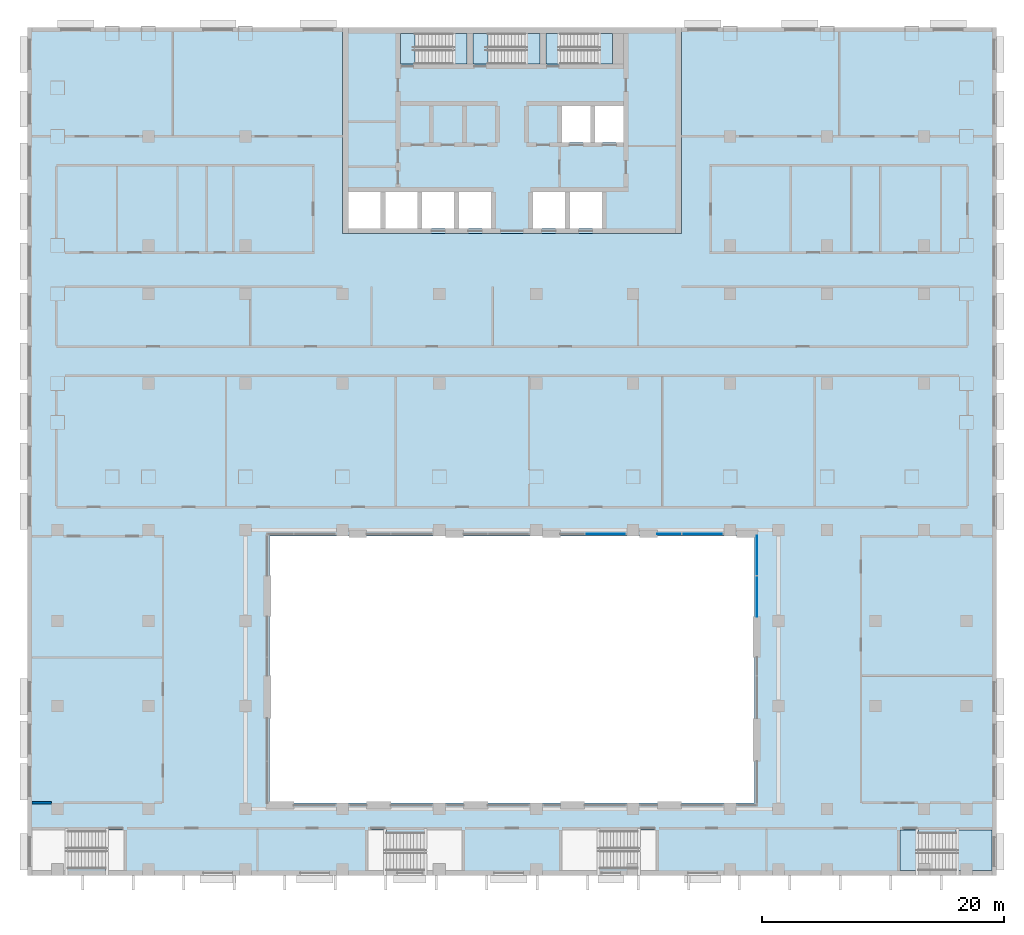
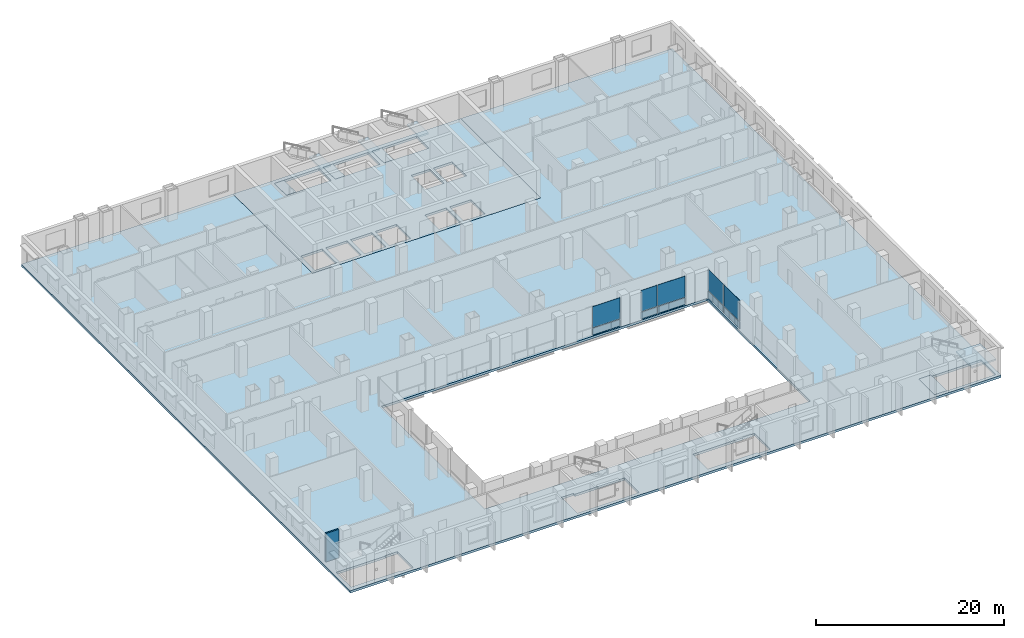
# One storey, part 6 of 25: 10 plates, 10 slabs, 1 wall, 7 elements without a shape of their own.
"""IFC4 building model written with IfcOpenShell, lengths in metres."""

from ifc_helpers import new_model, si_unit, direction, frame, frame_2d, origin, origin_2d, place, context, subcontext, project, spatial, polyline, rectangle, outline, extrude, material, layer, layer_set, type_object, element, aggregate, save


model = new_model("IFC4")

# Units and contexts
model_context = context("Model", 3, precision=1e-05, world=origin(), true_north=direction((0.0, 1.0)))
body_context = subcontext(model_context, "Body", "Model", "MODEL_VIEW")
ifc_project = project(units=[si_unit("LENGTHUNIT", "METRE"), si_unit("AREAUNIT", "SQUARE_METRE"), si_unit("VOLUMEUNIT", "CUBIC_METRE"), si_unit("PLANEANGLEUNIT", "RADIAN"), si_unit("MASSUNIT", "GRAM", prefix="KILO")], contexts=[model_context])

# Site, building, storey
site_placement = place(None, origin())
site = spatial("IfcSite", under=ifc_project, at=site_placement, CompositionType="ELEMENT")
building_placement = place(site_placement, origin())
building = spatial("IfcBuilding", under=site, at=building_placement, Name="Vidyagriha Tower", CompositionType="ELEMENT")
storey_placement = place(building_placement, frame((0.0, 0.0, 18.0)))
storey = spatial("IfcBuildingStorey", under=building, at=storey_placement, Name="L04", CompositionType="ELEMENT", Elevation=18.0)

# Curtain wall, plate
ifc_material_1 = material(Name="Aluminium and glass curtain wall", Category="aluminium")
curtain_wall_type = type_object("IfcCurtainWallType", Name="Atrium screen curtain wall", PredefinedType="USERDEFINED", material=ifc_material_1)
curtain_wall_1_placement = place(storey_placement, origin())
curtain_wall_1 = element("IfcCurtainWall", 1, at=curtain_wall_1_placement, inside=storey, type_object=curtain_wall_type, Name="CW6 atrium screen", ObjectType="UNITISED", PredefinedType="USERDEFINED")
ifc_material_2 = material(Name="Glass dark ceramic-fritted spandrel", Category="glass")
ifc_layer_1 = layer(ifc_material_2, 0.0400390625)
ifc_layer_set_1 = layer_set([ifc_layer_1], Name="Glass dark ceramic-fritted spandrel")
plate_type_1 = type_object("IfcPlateType", Name="Ceramic-fritted spandrel panel", PredefinedType="CURTAIN_PANEL", material=ifc_layer_set_1)
plate_1_placement = place(storey_placement, frame((7.717529296875, -21.800048828125, 0.0)))
plate_1 = element("IfcPlate", 2, at=plate_1_placement, type_object=plate_type_1, Name="CW6 panel 2.1", PredefinedType="CURTAIN_PANEL", context=body_context, shape_type="SweptSolid", body=[
    extrude(rectangle(XDim=3.364990234375, YDim=0.0400390625, at=origin_2d()), origin(), (0.0, 0.0, 1.0), 0.85009765625),
])

# Curtain wall, plates
curtain_wall_2_placement = place(storey_placement, origin())
curtain_wall_2 = element("IfcCurtainWall", 3, at=curtain_wall_2_placement, inside=storey, type_object=curtain_wall_type, Name="CW6 atrium screen", ObjectType="UNITISED", PredefinedType="USERDEFINED")
plate_2_placement = place(storey_placement, frame((12.982421875, -21.800048828125, 0.0)))
plate_2 = element("IfcPlate", 4, at=plate_2_placement, type_object=plate_type_1, Name="CW6 panel 1.1", PredefinedType="CURTAIN_PANEL", context=body_context, shape_type="SweptSolid", body=[
    extrude(rectangle(XDim=1.965087890625, YDim=0.0400390625, at=origin_2d()), origin(), (0.0, 0.0, 1.0), 0.85009765625),
])
plate_3_placement = place(storey_placement, frame((15.717529296875, -21.800048828125, 0.0)))
plate_3 = element("IfcPlate", 5, at=plate_3_placement, type_object=plate_type_1, Name="CW6 panel 2.1", PredefinedType="CURTAIN_PANEL", context=body_context, shape_type="SweptSolid", body=[
    extrude(rectangle(XDim=3.364990234375, YDim=0.0400390625, at=origin_2d()), origin(), (0.0, 0.0, 1.0), 0.85009765625),
])

curtain_wall_3_placement = place(storey_placement, origin())
curtain_wall_3 = element("IfcCurtainWall", 6, at=curtain_wall_3_placement, inside=storey, type_object=curtain_wall_type, Name="CW6 atrium screen", ObjectType="UNITISED", PredefinedType="USERDEFINED")
plate_4_placement = place(storey_placement, frame((20.199951171875, -23.584228515625, 0.0), z_axis=(0.0, 0.0, 1.0), x_axis=(0.0, -1.0, 0.0)))
plate_4 = element("IfcPlate", 7, at=plate_4_placement, type_object=plate_type_1, Name="CW6 panel 1.1", PredefinedType="CURTAIN_PANEL", context=body_context, shape_type="SweptSolid", body=[
    extrude(rectangle(XDim=3.268310546875, YDim=0.0400390625, at=origin_2d()), origin(), (0.0, 0.0, 1.0), 0.85009765625),
])
plate_5_placement = place(storey_placement, frame((20.199951171875, -26.95751953125, 0.0), z_axis=(0.0, 0.0, 1.0), x_axis=(0.0, -1.0, 0.0)))
plate_5 = element("IfcPlate", 8, at=plate_5_placement, type_object=plate_type_1, Name="CW6 panel 2.1", PredefinedType="CURTAIN_PANEL", context=body_context, shape_type="SweptSolid", body=[
    extrude(rectangle(XDim=3.33837890625, YDim=0.0400390625, at=origin_2d()), origin(), (0.0, 0.0, 1.0), 0.85009765625),
])

# Slab
ifc_material_3 = material(Name="Concrete C60/75", Category="concrete")
ifc_layer_2 = layer(ifc_material_3, 0.300048828125)
ifc_layer_set_2 = layer_set([ifc_layer_2], Name="Concrete C60/75")
slab_type_1 = type_object("IfcSlabType", Name="Core floor slab 300 mm", PredefinedType="FLOOR", material=ifc_layer_set_2)
slab_1_placement = place(storey_placement, frame((0.0, 0.0, -0.300048828125)))
element("IfcSlab", 9, at=slab_1_placement, inside=storey, type_object=slab_type_1, Name="L04 core floor 1", PredefinedType="FLOOR", context=body_context, shape_type="SweptSolid", body=[
    extrude(outline(polyline([(-14.0, 3.0), (-14.0, 20.0), (14.0, 20.0), (14.0, 3.0), (-14.0, 3.0)]), holes=[polyline([(9.199951171875, 13.5), (6.86669921875, 13.5), (6.86669921875, 10.5), (9.199951171875, 10.5), (9.199951171875, 13.5)]), polyline([(4.0, 19.5), (2.800048828125, 19.5), (2.800048828125, 16.949951171875), (4.0, 16.949951171875), (8.300048828125, 16.949951171875), (8.300048828125, 19.5), (4.0, 19.5)]), polyline([(7.4111328125, 6.39990234375), (4.7666015625, 6.39990234375), (4.7666015625, 3.39990234375), (7.4111328125, 3.39990234375), (7.4111328125, 6.39990234375)]), polyline([(6.466796875, 13.5), (4.13330078125, 13.5), (4.13330078125, 10.5), (6.466796875, 10.5), (6.466796875, 13.5)]), polyline([(1.72216796875, 6.39990234375), (1.72216796875, 3.39990234375), (4.36669921875, 3.39990234375), (4.36669921875, 6.39990234375), (1.72216796875, 6.39990234375)]), polyline([(-2.0, 16.949951171875), (2.300048828125, 16.949951171875), (2.300048828125, 19.5), (-2.0, 19.5), (-3.199951171875, 19.5), (-3.199951171875, 16.949951171875), (-2.0, 16.949951171875)]), polyline([(-1.72216796875, 6.39990234375), (-4.36669921875, 6.39990234375), (-4.36669921875, 3.39990234375), (-1.72216796875, 3.39990234375), (-1.72216796875, 6.39990234375)]), polyline([(-8.0, 19.5), (-9.199951171875, 19.5), (-9.199951171875, 16.949951171875), (-8.0, 16.949951171875), (-3.699951171875, 16.949951171875), (-3.699951171875, 19.5), (-8.0, 19.5)]), polyline([(-4.7666015625, 6.39990234375), (-7.4111328125, 6.39990234375), (-7.4111328125, 3.39990234375), (-4.7666015625, 3.39990234375), (-4.7666015625, 6.39990234375)]), polyline([(-7.81103515625, 6.39990234375), (-10.45556640625, 6.39990234375), (-10.45556640625, 3.39990234375), (-7.81103515625, 3.39990234375), (-7.81103515625, 6.39990234375)]), polyline([(-13.5, 6.39990234375), (-13.5, 3.39990234375), (-10.855712890625, 3.39990234375), (-10.855712890625, 6.39990234375), (-13.5, 6.39990234375)])]), origin(), (0.0, 0.0, 1.0), 0.300048828125),
])

# Plate
ifc_material_4 = material(Name="Glass dark ceramic-fritted", Category="glass")
ifc_layer_3 = layer(ifc_material_4, 0.028076171875)
ifc_layer_set_3 = layer_set([ifc_layer_3], Name="Glass dark ceramic-fritted")
plate_type_2 = type_object("IfcPlateType", Name="Dark ceramic-fritted vision glass panel", PredefinedType="CURTAIN_PANEL", material=ifc_layer_set_3)
plate_6_placement = place(storey_placement, frame((7.717529296875, -21.800048828125, 0.949951171875)))
plate_6 = element("IfcPlate", 10, at=plate_6_placement, type_object=plate_type_2, Name="CW6 panel 2.2", PredefinedType="CURTAIN_PANEL", context=body_context, shape_type="SweptSolid", body=[
    extrude(rectangle(XDim=3.364990234375, YDim=0.028076171875, at=origin_2d()), origin(), (0.0, 0.0, 1.0), 2.75),
])

aggregate(curtain_wall_1, [plate_1, plate_6])

plate_7_placement = place(storey_placement, frame((12.982421875, -21.800048828125, 0.949951171875)))
plate_7 = element("IfcPlate", 11, at=plate_7_placement, type_object=plate_type_2, Name="CW6 panel 1.2", PredefinedType="CURTAIN_PANEL", context=body_context, shape_type="SweptSolid", body=[
    extrude(rectangle(XDim=1.965087890625, YDim=0.028076171875, at=origin_2d()), origin(), (0.0, 0.0, 1.0), 2.75),
])

plate_8_placement = place(storey_placement, frame((15.717529296875, -21.800048828125, 0.949951171875)))
plate_8 = element("IfcPlate", 12, at=plate_8_placement, type_object=plate_type_2, Name="CW6 panel 2.2", PredefinedType="CURTAIN_PANEL", context=body_context, shape_type="SweptSolid", body=[
    extrude(rectangle(XDim=3.364990234375, YDim=0.028076171875, at=origin_2d()), origin(), (0.0, 0.0, 1.0), 2.75),
])

aggregate(curtain_wall_2, [plate_2, plate_7, plate_3, plate_8])

plate_9_placement = place(storey_placement, frame((20.199951171875, -23.584228515625, 0.949951171875), z_axis=(0.0, 0.0, 1.0), x_axis=(0.0, -1.0, 0.0)))
plate_9 = element("IfcPlate", 13, at=plate_9_placement, type_object=plate_type_2, Name="CW6 panel 1.2", PredefinedType="CURTAIN_PANEL", context=body_context, shape_type="SweptSolid", body=[
    extrude(rectangle(XDim=3.268310546875, YDim=0.028076171875, at=origin_2d()), origin(), (0.0, 0.0, 1.0), 2.75),
])

plate_10_placement = place(storey_placement, frame((20.199951171875, -26.95751953125, 0.949951171875), z_axis=(0.0, 0.0, 1.0), x_axis=(0.0, -1.0, 0.0)))
plate_10 = element("IfcPlate", 14, at=plate_10_placement, type_object=plate_type_2, Name="CW6 panel 2.2", PredefinedType="CURTAIN_PANEL", context=body_context, shape_type="SweptSolid", body=[
    extrude(rectangle(XDim=3.33837890625, YDim=0.028076171875, at=origin_2d()), origin(), (0.0, 0.0, 1.0), 2.75),
])

aggregate(curtain_wall_3, [plate_4, plate_9, plate_5, plate_10])

# Slabs
ifc_material_5 = material(Name="Concrete C40/50", Category="concrete")
ifc_layer_4 = layer(ifc_material_5, 0.300048828125)
ifc_layer_set_4 = layer_set([ifc_layer_4], Name="Concrete C40/50")
slab_type_2 = type_object("IfcSlabType", Name="Exit stair floor landing 300 mm", PredefinedType="LANDING", material=ifc_layer_set_4)
slab_2_placement = place(storey_placement, frame((0.0, 0.0, -0.300048828125)))
element("IfcSlab", 15, at=slab_2_placement, inside=storey, type_object=slab_type_2, Name="ST1 floor landing L04", PredefinedType="LANDING", context=body_context, shape_type="SweptSolid", body=[
    extrude(outline(polyline([(-9.199951171875, 16.949951171875), (-8.0, 16.949951171875), (-8.0, 19.5), (-9.199951171875, 19.5), (-9.199951171875, 16.949951171875)])), origin(), (0.0, 0.0, 1.0), 0.300048828125),
])
slab_3_placement = place(storey_placement, frame((0.0, 0.0, -0.300048828125)))
element("IfcSlab", 16, at=slab_3_placement, inside=storey, type_object=slab_type_2, Name="ST2 floor landing L04", PredefinedType="LANDING", context=body_context, shape_type="SweptSolid", body=[
    extrude(outline(polyline([(-3.199951171875, 16.949951171875), (-2.0, 16.949951171875), (-2.0, 19.5), (-3.199951171875, 19.5), (-3.199951171875, 16.949951171875)])), origin(), (0.0, 0.0, 1.0), 0.300048828125),
])
slab_4_placement = place(storey_placement, frame((0.0, 0.0, -0.300048828125)))
element("IfcSlab", 17, at=slab_4_placement, inside=storey, type_object=slab_type_2, Name="ST3 floor landing L04", PredefinedType="LANDING", context=body_context, shape_type="SweptSolid", body=[
    extrude(outline(polyline([(2.800048828125, 16.949951171875), (4.0, 16.949951171875), (4.0, 19.5), (2.800048828125, 19.5), (2.800048828125, 16.949951171875)])), origin(), (0.0, 0.0, 1.0), 0.300048828125),
])

# Stair, slab
ifc_material_6 = material(Name="Concrete C40/50", Category="concrete")
stair_type_1 = type_object("IfcStairType", Name="Exit stair, half-turn, precast flights", PredefinedType="HALF_TURN_STAIR", material=ifc_material_6)
stair_1_placement = place(storey_placement, origin())
stair_1 = element("IfcStair", 18, at=stair_1_placement, inside=storey, type_object=stair_type_1, Name="L04 Exit Stair ST1", PredefinedType="HALF_TURN_STAIR")
ifc_material_7 = material(Name="Concrete C40/50", Category="concrete")
ifc_layer_5 = layer(ifc_material_7, 0.199951171875)
ifc_layer_set_5 = layer_set([ifc_layer_5], Name="Concrete C40/50")
slab_type_3 = type_object("IfcSlabType", Name="Exit stair landing 200 mm", PredefinedType="LANDING", material=ifc_layer_set_5)
slab_5_placement = place(storey_placement, frame((0.0, 0.0, 1.800048828125)))
slab_5 = element("IfcSlab", 19, at=slab_5_placement, type_object=slab_type_3, Name="ST1 landing 1", PredefinedType="LANDING", context=body_context, shape_type="SweptSolid", body=[
    extrude(outline(polyline([(-4.919921875, 16.949951171875), (-3.699951171875, 16.949951171875), (-3.699951171875, 19.5), (-4.919921875, 19.5), (-4.919921875, 16.949951171875)])), origin(), (0.0, 0.0, 1.0), 0.199951171875),
])
aggregate(stair_1, [slab_5])

stair_2_placement = place(storey_placement, origin())
stair_2 = element("IfcStair", 20, at=stair_2_placement, inside=storey, type_object=stair_type_1, Name="L04 Exit Stair ST2", PredefinedType="HALF_TURN_STAIR")
slab_6_placement = place(storey_placement, frame((0.0, 0.0, 1.800048828125)))
slab_6 = element("IfcSlab", 21, at=slab_6_placement, type_object=slab_type_3, Name="ST2 landing 1", PredefinedType="LANDING", context=body_context, shape_type="SweptSolid", body=[
    extrude(outline(polyline([(1.080078125, 16.949951171875), (2.300048828125, 16.949951171875), (2.300048828125, 19.5), (1.080078125, 19.5), (1.080078125, 16.949951171875)])), origin(), (0.0, 0.0, 1.0), 0.199951171875),
])
aggregate(stair_2, [slab_6])

stair_3_placement = place(storey_placement, origin())
stair_3 = element("IfcStair", 22, at=stair_3_placement, inside=storey, type_object=stair_type_1, Name="L04 Exit Stair ST3", PredefinedType="HALF_TURN_STAIR")
slab_7_placement = place(storey_placement, frame((0.0, 0.0, 1.800048828125)))
slab_7 = element("IfcSlab", 23, at=slab_7_placement, type_object=slab_type_3, Name="ST3 landing 1", PredefinedType="LANDING", context=body_context, shape_type="SweptSolid", body=[
    extrude(outline(polyline([(7.080078125, 16.949951171875), (8.300048828125, 16.949951171875), (8.300048828125, 19.5), (7.080078125, 19.5), (7.080078125, 16.949951171875)])), origin(), (0.0, 0.0, 1.0), 0.199951171875),
])
aggregate(stair_3, [slab_7])

ifc_material_8 = material(Name="Concrete C32/40", Category="concrete")
stair_type_2 = type_object("IfcStairType", Name="Podium Exit Stair 1500", PredefinedType="HALF_TURN_STAIR", material=ifc_material_8)
stair_4_placement = place(storey_placement, origin())
stair_4 = element("IfcStair", 24, at=stair_4_placement, inside=storey, type_object=stair_type_2, Name="L04 Exit Stair PS2", PredefinedType="HALF_TURN_STAIR")
ifc_material_9 = material(Name="Concrete C32/40", Category="concrete")
ifc_layer_6 = layer(ifc_material_9, 0.199951171875)
ifc_layer_set_6 = layer_set([ifc_layer_6], Name="Concrete C32/40")
slab_type_4 = type_object("IfcSlabType", Name="Podium Stair Landing 200", PredefinedType="LANDING", material=ifc_layer_set_6)
slab_8_placement = place(storey_placement, frame((0.0, 0.0, 1.800048828125)))
slab_8 = element("IfcSlab", 25, at=slab_8_placement, type_object=slab_type_4, Name="PS2 landing 1", PredefinedType="LANDING", context=body_context, shape_type="SweptSolid", body=[
    extrude(outline(polyline([(36.625, -49.60009765625), (39.60009765625, -49.60009765625), (39.60009765625, -46.22509765625), (36.625, -46.22509765625), (36.625, -49.60009765625)])), origin(), (0.0, 0.0, 1.0), 0.199951171875),
])
aggregate(stair_4, [slab_8])

# Slabs
ifc_material_10 = material(Name="Concrete C32/40", Category="concrete")
ifc_layer_7 = layer(ifc_material_10, 0.300048828125)
ifc_layer_set_7 = layer_set([ifc_layer_7], Name="Concrete C32/40")
slab_type_5 = type_object("IfcSlabType", Name="Podium stair floor landing 300 mm", PredefinedType="LANDING", material=ifc_layer_set_7)
slab_9_placement = place(storey_placement, frame((0.0, 0.0, -0.300048828125)))
element("IfcSlab", 26, at=slab_9_placement, inside=storey, type_object=slab_type_5, Name="PS2 floor landing L04", PredefinedType="LANDING", context=body_context, shape_type="SweptSolid", body=[
    extrude(outline(polyline([(32.02490234375, -49.60009765625), (33.544921875, -49.60009765625), (33.544921875, -46.22509765625), (32.02490234375, -46.22509765625), (32.02490234375, -49.60009765625)])), origin(), (0.0, 0.0, 1.0), 0.300048828125),
])
ifc_material_11 = material(Name="Concrete C50/60", Category="concrete")
ifc_layer_8 = layer(ifc_material_11, 0.300048828125)
ifc_layer_set_8 = layer_set([ifc_layer_8], Name="Concrete C50/60")
slab_type_6 = type_object("IfcSlabType", Name="Post-tensioned flat plate 300", PredefinedType="FLOOR", material=ifc_layer_set_8)
slab_10_placement = place(storey_placement, frame((0.0, 0.0, -0.300048828125)))
element("IfcSlab", 27, at=slab_10_placement, inside=storey, type_object=slab_type_6, Name="st-slab-L04-1", PredefinedType="FLOOR", context=body_context, shape_type="SweptSolid", body=[
    extrude(outline(polyline([(-40.0, 20.0), (-14.0, 20.0), (-14.0, 3.0), (14.0, 3.0), (14.0, 20.0), (40.0, 20.0), (40.0, -50.0), (-40.0, -50.0), (-40.0, 20.0)]), holes=[polyline([(-20.0, -22.0), (-20.0, -44.0), (20.0, -44.0), (20.0, -22.0), (-20.0, -22.0)]), polyline([(-33.544921875, -46.22509765625), (-33.544921875, -46.300048828125), (-39.574951171875, -46.300048828125), (-39.574951171875, -49.449951171875), (-33.544921875, -49.449951171875), (-33.544921875, -49.60009765625), (-32.02490234375, -49.60009765625), (-32.02490234375, -46.22509765625), (-33.544921875, -46.22509765625)]), polyline([(39.574951171875, -49.60009765625), (39.574951171875, -46.449951171875), (33.544921875, -46.449951171875), (33.544921875, -46.22509765625), (32.02490234375, -46.22509765625), (32.02490234375, -49.60009765625), (33.544921875, -49.60009765625), (39.574951171875, -49.60009765625)]), polyline([(-11.875, -49.60009765625), (-10.35498046875, -49.60009765625), (-4.2548828125, -49.60009765625), (-4.2548828125, -46.449951171875), (-10.35498046875, -46.449951171875), (-10.35498046875, -46.22509765625), (-11.875, -46.22509765625), (-11.875, -49.60009765625)]), polyline([(4.2548828125, -46.300048828125), (4.2548828125, -49.449951171875), (10.35498046875, -49.449951171875), (10.35498046875, -49.60009765625), (11.875, -49.60009765625), (11.875, -46.22509765625), (10.35498046875, -46.22509765625), (10.35498046875, -46.300048828125), (4.2548828125, -46.300048828125)])]), origin(), (0.0, 0.0, 1.0), 0.300048828125),
])

# Wall
ifc_material_12 = material(Name="Fire rated gypsum board on light gauge framing")
ifc_layer_9 = layer(ifc_material_12, 0.199951171875)
ifc_layer_set_9 = layer_set([ifc_layer_9], Name="Fire rated gypsum board on light gauge framing")
wall_type = type_object("IfcWallType", Name="Fire Rated Corridor Wall 200", PredefinedType="PARTITIONING", material=ifc_layer_set_9)
wall_placement = place(storey_placement, frame((-39.60009765625, -44.0, 0.0)))
element("IfcWall", 28, at=wall_placement, inside=storey, type_object=wall_type, Name="L04 Fire Rated Corridor Wall 200 007", PredefinedType="PARTITIONING", context=body_context, shape_type="SweptSolid", body=[
    extrude(rectangle(XDim=1.60009765625, YDim=0.199951171875, at=frame_2d((0.800048828125, 0.0))), origin(), (0.0, 0.0, 1.0), 3.699951171875),
])

save(model, "model.ifc")
